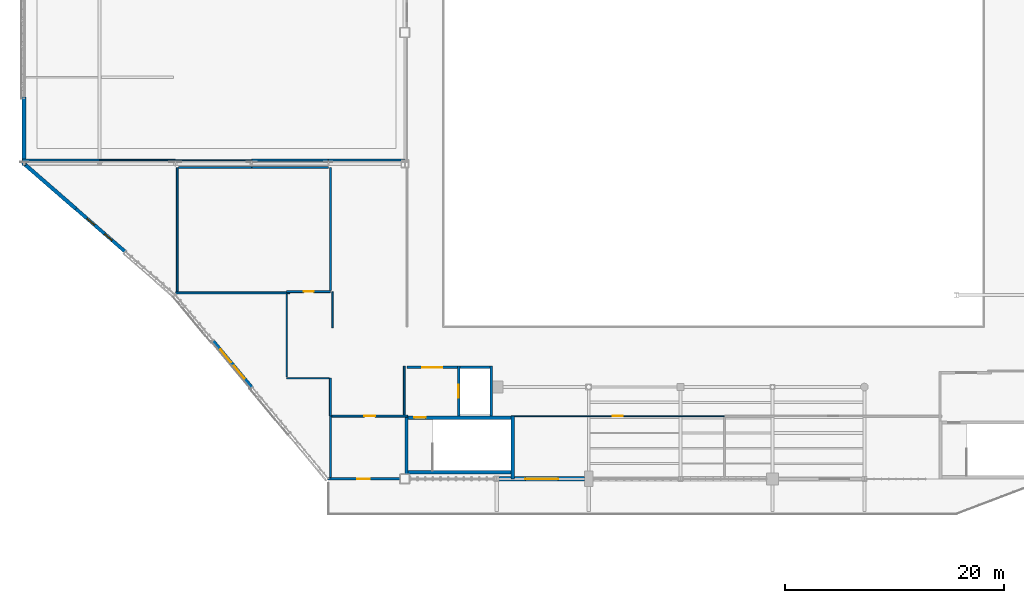
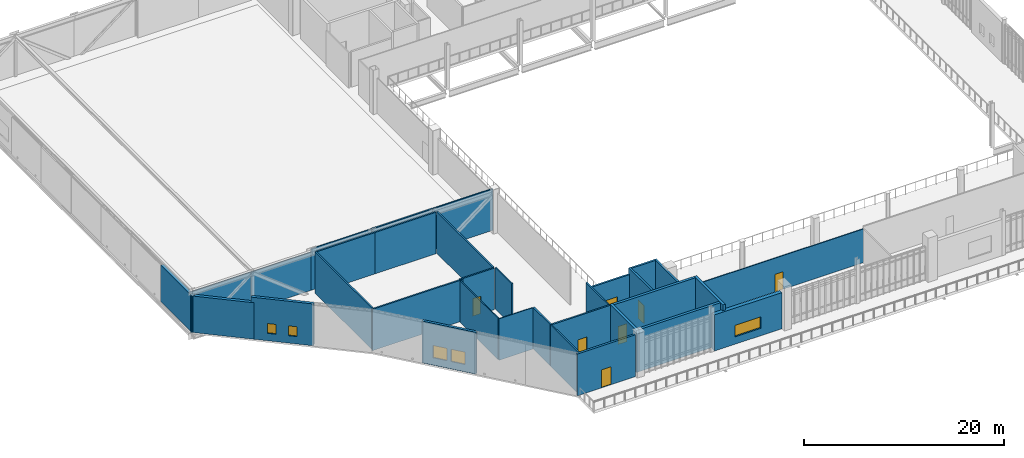
# One storey, part 112 of 135: 33 walls, 7 doors, 5 windows, 12 openings.
"""IFC4 building model written with IfcOpenShell, lengths in metres."""

from ifc_helpers import new_model, si_unit, direction, frame, frame_2d, origin, place, context, subcontext, project, spatial, rectangle, extrude, material, layer, layer_set, type_object, element, fill, save


model = new_model("IFC4")

# Units and contexts
model_context = context("Model", 3, precision=1e-05, world=origin(), true_north=direction((0.0, 1.0)))
body_context = subcontext(model_context, "Body", "Model", "MODEL_VIEW")
ifc_project = project(units=[si_unit("LENGTHUNIT", "METRE"), si_unit("AREAUNIT", "SQUARE_METRE"), si_unit("VOLUMEUNIT", "CUBIC_METRE"), si_unit("PLANEANGLEUNIT", "RADIAN"), si_unit("MASSUNIT", "GRAM", prefix="KILO")], contexts=[model_context])

# Site, building, storey
site_placement = place(None, origin())
site = spatial("IfcSite", under=ifc_project, at=site_placement, CompositionType="ELEMENT")
building_placement = place(site_placement, origin())
building = spatial("IfcBuilding", under=site, at=building_placement, Name="Larkvane Passage Sports Hall", CompositionType="ELEMENT")
storey_placement = place(building_placement, frame((0.0, 0.0, 16.800048828125)))
storey = spatial("IfcBuildingStorey", under=building, at=storey_placement, Name="L03", CompositionType="ELEMENT", Elevation=16.800048828125)

# Walls
ifc_material_1 = material(Name="Concrete C50/60", Category="concrete")
ifc_layer_1 = layer(ifc_material_1, 0.300048828125)
ifc_layer_set_1 = layer_set([ifc_layer_1], Name="Concrete C50/60")
wall_type_1 = type_object("IfcWallType", Name="WL-CORE-300", PredefinedType="SHEAR", material=ifc_layer_set_1)
wall_1_placement = place(storey_placement, frame((44.64990234375, 28.550048828125, 0.0), z_axis=(0.0, 0.0, 1.0), x_axis=(0.0, -1.0, 0.0)))
element("IfcWall", 1, at=wall_1_placement, inside=storey, type_object=wall_type_1, Name="Core shear wall WAL-CORE-C1-L03-E", PredefinedType="SHEAR", context=body_context, shape_type="SweptSolid", body=[
    extrude(rectangle(XDim=5.75, YDim=0.300048828125, at=frame_2d((2.875, 0.0))), origin(), (0.0, 0.0, 1.0), 5.119873046875),
])
wall_2_placement = place(storey_placement, frame((44.5, 23.39990234375, 0.0), z_axis=(0.0, 0.0, 1.0), x_axis=(-1.0, 0.0, 0.0)))
element("IfcWall", 2, at=wall_2_placement, inside=storey, type_object=wall_type_1, Name="Core shear wall WAL-CORE-C1-L03-S", PredefinedType="SHEAR", context=body_context, shape_type="SweptSolid", body=[
    extrude(rectangle(XDim=9.39990234375, YDim=0.300048828125, at=frame_2d((4.699951171875, 0.0))), origin(), (0.0, 0.0, 1.0), 5.119873046875),
])

# Wall, opening, door
wall_3_placement = place(storey_placement, frame((35.10009765625, 28.39990234375, 0.0), z_axis=(0.0, 0.0, 1.0), x_axis=(1.0, 0.0, 0.0)))
wall_3 = element("IfcWall", 3, at=wall_3_placement, inside=storey, type_object=wall_type_1, Name="Core shear wall WAL-CORE-C1-L03-N", PredefinedType="SHEAR", context=body_context, shape_type="SweptSolid", body=[
    extrude(rectangle(XDim=9.39990234375, YDim=0.300048828125, at=frame_2d((4.699951171875, 0.0))), origin(), (0.0, 0.0, 1.0), 5.119873046875),
])
opening_1_placement = place(wall_3_placement, frame((0.550048828125, 0.0, 0.0)))
opening_1 = element("IfcOpeningElement", 4, at=opening_1_placement, cuts=wall_3, Name="Opening DF-01", PredefinedType="OPENING", context=body_context, shape_type="SweptSolid", body=[
    extrude(rectangle(XDim=1.050048828125, YDim=2.199951171875, at=frame_2d((0.52490234375, 1.10009765625))), frame((0.0, 0.159912109375, 0.0), z_axis=(0.0, -1.0, 0.0), x_axis=(1.0, 0.0, 0.0)), (0.0, 0.0, 1.0), 0.320068359375),
])
ifc_material_2 = material(Name="Steel S355JR smoke-sealed fire door", Category="steel")
door_type_1 = type_object("IfcDoorType", Name="DR-FIRE-1050", OperationType="NOTDEFINED", PredefinedType="DOOR", material=ifc_material_2)
door_1_placement = place(opening_1_placement, origin())
door_1 = element("IfcDoor", 5, at=door_1_placement, inside=storey, type_object=door_type_1, Name="Stair ST-01 L03 fire door", OperationType="SINGLE_SWING_RIGHT", OverallHeight=2.199951171875, OverallWidth=1.050048828125, PredefinedType="DOOR", context=body_context, shape_type="SweptSolid", body=[
    extrude(rectangle(XDim=1.050048828125, YDim=2.199951171875, at=frame_2d((0.52490234375, 1.10009765625))), frame((0.0, 0.02490234375, 0.0), z_axis=(0.0, -1.0, 0.0), x_axis=(1.0, 0.0, 0.0)), (0.0, 0.0, 1.0), 0.050048828125),
])
fill(opening_1, door_1)

# Wall
ifc_layer_2 = layer(ifc_material_1, 0.300048828125)
ifc_layer_set_2 = layer_set([ifc_layer_2], Name="Concrete C50/60")
wall_type_2 = type_object("IfcWallType", Name="WL-CORE-EXT-300", PredefinedType="SHEAR", material=ifc_layer_set_2)
wall_4_placement = place(storey_placement, frame((34.949951171875, 23.25, 0.0), z_axis=(0.0, 0.0, 1.0), x_axis=(0.0, 1.0, 0.0)))
element("IfcWall", 6, at=wall_4_placement, inside=storey, type_object=wall_type_2, Name="Core shear wall WAL-CORE-C1-L03-W", PredefinedType="SHEAR", context=body_context, shape_type="SweptSolid", body=[
    extrude(rectangle(XDim=5.300048828125, YDim=0.300048828125, at=frame_2d((2.64990234375, 0.0))), origin(), (0.0, 0.0, 1.0), 5.119873046875),
])

# Wall, opening, door
ifc_material_3 = material(Name="Concrete C40/50", Category="concrete")
ifc_layer_3 = layer(ifc_material_3, 0.239990234375)
ifc_layer_set_3 = layer_set([ifc_layer_3], Name="Concrete C40/50")
wall_type_3 = type_object("IfcWallType", Name="WL-EXT-240", PredefinedType="SOLIDWALL", material=ifc_layer_set_3)
wall_5_placement = place(storey_placement, frame((34.35400390625, 22.800048828125, 0.0), z_axis=(0.0, 0.0, 1.0), x_axis=(-1.0, 0.0, 0.0)))
wall_5 = element("IfcWall", 7, at=wall_5_placement, inside=storey, type_object=wall_type_3, Name="Exterior wall WAL-EXT-L03-183", PredefinedType="SOLIDWALL", context=body_context, shape_type="SweptSolid", body=[
    extrude(rectangle(XDim=6.669189453125, YDim=0.239990234375, at=frame_2d((3.33447265625, 0.0))), origin(), (0.0, 0.0, 1.0), 5.099853515625),
])
opening_2_placement = place(wall_5_placement, frame((2.784912109375, 0.0, 0.0)))
opening_2 = element("IfcOpeningElement", 8, at=opening_2_placement, cuts=wall_5, Name="Opening DE-05", PredefinedType="OPENING", context=body_context, shape_type="SweptSolid", body=[
    extrude(rectangle(XDim=1.10009765625, YDim=2.199951171875, at=frame_2d((0.550048828125, 1.10009765625))), frame((0.0, 0.1298828125, 0.0), z_axis=(0.0, -1.0, 0.0), x_axis=(1.0, 0.0, 0.0)), (0.0, 0.0, 1.0), 0.260009765625),
])
ifc_material_4 = material(Name="Thermally broken aluminium glazed door", Category="aluminium")
door_type_2 = type_object("IfcDoorType", Name="DR-TER-1100", OperationType="NOTDEFINED", PredefinedType="DOOR", material=ifc_material_4)
door_2_placement = place(opening_2_placement, origin())
door_2 = element("IfcDoor", 9, at=door_2_placement, inside=storey, type_object=door_type_2, Name="Exterior door L03-039", OperationType="SINGLE_SWING_RIGHT", OverallHeight=2.199951171875, OverallWidth=1.10009765625, PredefinedType="DOOR", context=body_context, shape_type="SweptSolid", body=[
    extrude(rectangle(XDim=1.10009765625, YDim=2.199951171875, at=frame_2d((0.550048828125, 1.10009765625))), frame((0.0, 0.02490234375, 0.0), z_axis=(0.0, -1.0, 0.0), x_axis=(1.0, 0.0, 0.0)), (0.0, 0.0, 1.0), 0.050048828125),
])
fill(opening_2, door_2)

# Wall, openings, windows
ifc_layer_4 = layer(ifc_material_3, 0.27490234375)
ifc_layer_set_4 = layer_set([ifc_layer_4], Name="Concrete C40/50")
wall_type_4 = type_object("IfcWallType", Name="WL-EXT-275", PredefinedType="SOLIDWALL", material=ifc_layer_set_4)
wall_6_placement = place(storey_placement, frame((20.884521484375, 31.0986328125, 0.0), z_axis=(0.0, 0.0, 1.0), x_axis=(-0.640176019518, 0.768228262975, 0.0)))
wall_6 = element("IfcWall", 10, at=wall_6_placement, inside=storey, type_object=wall_type_4, Name="Exterior wall WAL-EXT-L03-184", PredefinedType="SOLIDWALL", context=body_context, shape_type="SweptSolid", body=[
    extrude(rectangle(XDim=5.731201171875, YDim=0.27490234375, at=frame_2d((2.86572265625, 0.0))), origin(), (0.0, 0.0, 1.0), 5.099853515625),
])
opening_3_placement = place(wall_6_placement, frame((1.159912109375, 0.0, 0.89990234375)))
opening_3 = element("IfcOpeningElement", 11, at=opening_3_placement, cuts=wall_6, Name="Opening W-08", PredefinedType="OPENING", context=body_context, shape_type="SweptSolid", body=[
    extrude(rectangle(XDim=1.5, YDim=1.5, at=frame_2d((0.75, 0.75))), frame((0.0, 0.1474609375, 0.0), z_axis=(0.0, -1.0, 0.0), x_axis=(1.0, 0.0, 0.0)), (0.0, 0.0, 1.0), 0.294921875),
])
opening_4_placement = place(wall_6_placement, frame((3.071044921875, 0.0, 0.89990234375)))
opening_4 = element("IfcOpeningElement", 12, at=opening_4_placement, cuts=wall_6, Name="Opening W-08", PredefinedType="OPENING", context=body_context, shape_type="SweptSolid", body=[
    extrude(rectangle(XDim=1.5, YDim=1.5, at=frame_2d((0.75, 0.75))), frame((0.0, 0.1474609375, 0.0), z_axis=(0.0, -1.0, 0.0), x_axis=(1.0, 0.0, 0.0)), (0.0, 0.0, 1.0), 0.294921875),
])
ifc_material_5 = material(Name="Thermally broken aluminium and laminated low-E glass", Category="aluminium")
window_type_1 = type_object("IfcWindowType", Name="WN-CAS-1500x1500", PartitioningType="DOUBLE_PANEL_VERTICAL", PredefinedType="WINDOW", material=ifc_material_5)
window_1_placement = place(opening_3_placement, origin())
window_1 = element("IfcWindow", 13, at=window_1_placement, inside=storey, type_object=window_type_1, Name="Window L03-079", OverallHeight=1.5, OverallWidth=1.5, PartitioningType="DOUBLE_PANEL_VERTICAL", PredefinedType="WINDOW", context=body_context, shape_type="SweptSolid", body=[
    extrude(rectangle(XDim=1.5, YDim=1.5, at=frame_2d((0.75, 0.75))), frame((0.0, 0.030029296875, 0.0), z_axis=(0.0, -1.0, 0.0), x_axis=(1.0, 0.0, 0.0)), (0.0, 0.0, 1.0), 0.06005859375),
])
fill(opening_3, window_1)
window_2_placement = place(opening_4_placement, origin())
window_2 = element("IfcWindow", 14, at=window_2_placement, inside=storey, type_object=window_type_1, Name="Window L03-080", OverallHeight=1.5, OverallWidth=1.5, PartitioningType="DOUBLE_PANEL_VERTICAL", PredefinedType="WINDOW", context=body_context, shape_type="SweptSolid", body=[
    extrude(rectangle(XDim=1.5, YDim=1.5, at=frame_2d((0.75, 0.75))), frame((0.0, 0.030029296875, 0.0), z_axis=(0.0, -1.0, 0.0), x_axis=(1.0, 0.0, 0.0)), (0.0, 0.0, 1.0), 0.06005859375),
])
fill(opening_4, window_2)

ifc_material_6 = material(Name="Precast concrete C45/55", Category="concrete")
ifc_layer_5 = layer(ifc_material_6, 0.31005859375)
ifc_layer_set_5 = layer_set([ifc_layer_5], Name="Precast concrete C45/55")
wall_type_5 = type_object("IfcWallType", Name="WL-EXT-310", PredefinedType="SOLIDWALL", material=ifc_layer_set_5)
wall_7_placement = place(storey_placement, frame((9.312255859375, 43.50244140625, 0.0), z_axis=(0.0, 0.0, 1.0), x_axis=(-0.754614565315, 0.656168315156, 0.0)))
wall_7 = element("IfcWall", 15, at=wall_7_placement, inside=storey, type_object=wall_type_5, Name="Exterior wall WAL-EXT-L03-185", PredefinedType="SOLIDWALL", context=body_context, shape_type="SweptSolid", body=[
    extrude(rectangle(XDim=6.393310546875, YDim=0.31005859375, at=frame_2d((3.19677734375, 0.0))), origin(), (0.0, 0.0, 1.0), 5.099853515625),
])
opening_5_placement = place(wall_7_placement, frame((1.680908203125, 0.0, 0.89990234375)))
opening_5 = element("IfcOpeningElement", 16, at=opening_5_placement, cuts=wall_7, Name="Opening W-09", PredefinedType="OPENING", context=body_context, shape_type="SweptSolid", body=[
    extrude(rectangle(XDim=0.89990234375, YDim=1.199951171875, at=frame_2d((0.449951171875, 0.60009765625))), frame((0.0, 0.1650390625, 0.0), z_axis=(0.0, -1.0, 0.0), x_axis=(1.0, 0.0, 0.0)), (0.0, 0.0, 1.0), 0.330078125),
])
opening_6_placement = place(wall_7_placement, frame((3.81201171875, 0.0, 0.89990234375)))
opening_6 = element("IfcOpeningElement", 17, at=opening_6_placement, cuts=wall_7, Name="Opening W-09", PredefinedType="OPENING", context=body_context, shape_type="SweptSolid", body=[
    extrude(rectangle(XDim=0.89990234375, YDim=1.199951171875, at=frame_2d((0.449951171875, 0.60009765625))), frame((0.0, 0.1650390625, 0.0), z_axis=(0.0, -1.0, 0.0), x_axis=(1.0, 0.0, 0.0)), (0.0, 0.0, 1.0), 0.330078125),
])
window_type_2 = type_object("IfcWindowType", Name="WN-CAS-900x1200", PartitioningType="SINGLE_PANEL", PredefinedType="WINDOW", material=ifc_material_5)
window_3_placement = place(opening_5_placement, origin())
window_3 = element("IfcWindow", 18, at=window_3_placement, inside=storey, type_object=window_type_2, Name="Window L03-081", OverallHeight=1.199951171875, OverallWidth=0.89990234375, PartitioningType="SINGLE_PANEL", PredefinedType="WINDOW", context=body_context, shape_type="SweptSolid", body=[
    extrude(rectangle(XDim=0.89990234375, YDim=1.199951171875, at=frame_2d((0.449951171875, 0.60009765625))), frame((0.0, 0.030029296875, 0.0), z_axis=(0.0, -1.0, 0.0), x_axis=(1.0, 0.0, 0.0)), (0.0, 0.0, 1.0), 0.06005859375),
])
fill(opening_5, window_3)
window_4_placement = place(opening_6_placement, origin())
window_4 = element("IfcWindow", 19, at=window_4_placement, inside=storey, type_object=window_type_2, Name="Window L03-082", OverallHeight=1.199951171875, OverallWidth=0.89990234375, PartitioningType="SINGLE_PANEL", PredefinedType="WINDOW", context=body_context, shape_type="SweptSolid", body=[
    extrude(rectangle(XDim=0.89990234375, YDim=1.199951171875, at=frame_2d((0.449951171875, 0.60009765625))), frame((0.0, 0.030029296875, 0.0), z_axis=(0.0, -1.0, 0.0), x_axis=(1.0, 0.0, 0.0)), (0.0, 0.0, 1.0), 0.06005859375),
])
fill(opening_6, window_4)

# Walls
ifc_layer_6 = layer(ifc_material_6, 0.344970703125)
ifc_layer_set_6 = layer_set([ifc_layer_6], Name="Precast concrete C45/55")
wall_type_6 = type_object("IfcWallType", Name="WL-EXT-345", PredefinedType="SOLIDWALL", material=ifc_layer_set_6)
wall_8_placement = place(storey_placement, frame((4.72509765625, 47.4912109375, 0.0), z_axis=(0.0, 0.0, 1.0), x_axis=(-0.75460143339, 0.656183416985, 0.0)))
element("IfcWall", 20, at=wall_8_placement, inside=storey, type_object=wall_type_6, Name="Exterior wall WAL-EXT-L03-186", PredefinedType="SOLIDWALL", context=body_context, shape_type="SweptSolid", body=[
    extrude(rectangle(XDim=6.42724609375, YDim=0.344970703125, at=frame_2d((3.213623046875, 0.0))), origin(), (0.0, 0.0, 1.0), 4.449951171875),
])
wall_9_placement = place(storey_placement, frame((0.0, 51.434326171875, 0.0), z_axis=(0.0, 0.0, 1.0), x_axis=(0.0, 1.0, 0.0)))
element("IfcWall", 21, at=wall_9_placement, inside=storey, type_object=wall_type_6, Name="Exterior wall WAL-EXT-L03-187", PredefinedType="SOLIDWALL", context=body_context, shape_type="SweptSolid", body=[
    extrude(rectangle(XDim=6.28125, YDim=0.344970703125, at=frame_2d((3.140625, 0.0))), origin(), (0.0, 0.0, 1.0), 4.449951171875),
])

# Wall, opening, window
ifc_layer_7 = layer(ifc_material_3, 0.425048828125)
ifc_layer_set_7 = layer_set([ifc_layer_7], Name="Concrete C40/50")
wall_type_7 = type_object("IfcWallType", Name="WL-EXT-425", PredefinedType="SOLIDWALL", material=ifc_layer_set_7)
wall_10_placement = place(storey_placement, frame((51.2041015625, 22.800048828125, 0.0), z_axis=(0.0, 0.0, 1.0), x_axis=(-1.0, 0.0, 0.0)))
wall_10 = element("IfcWall", 22, at=wall_10_placement, inside=storey, type_object=wall_type_7, Name="Exterior wall WAL-EXT-L03-182", PredefinedType="SOLIDWALL", context=body_context, shape_type="SweptSolid", body=[
    extrude(rectangle(XDim=7.799560546875, YDim=0.425048828125, at=frame_2d((3.89990234375, 0.0))), origin(), (0.0, 0.0, 1.0), 4.407958984375),
])
opening_7_placement = place(wall_10_placement, frame((2.39990234375, 0.0, 0.89990234375)))
opening_7 = element("IfcOpeningElement", 23, at=opening_7_placement, cuts=wall_10, Name="Opening W-06", PredefinedType="OPENING", context=body_context, shape_type="SweptSolid", body=[
    extrude(rectangle(XDim=3.0, YDim=1.39990234375, at=frame_2d((1.5, 0.699951171875))), frame((0.0, 0.222412109375, 0.0), z_axis=(0.0, -1.0, 0.0), x_axis=(1.0, 0.0, 0.0)), (0.0, 0.0, 1.0), 0.445068359375),
])
window_type_3 = type_object("IfcWindowType", Name="WN-FIX-3000x1400", PartitioningType="TRIPLE_PANEL_VERTICAL", PredefinedType="WINDOW", material=ifc_material_5)
window_5_placement = place(opening_7_placement, origin())
window_5 = element("IfcWindow", 24, at=window_5_placement, inside=storey, type_object=window_type_3, Name="Window L03-078", OverallHeight=1.39990234375, OverallWidth=3.0, PartitioningType="TRIPLE_PANEL_VERTICAL", PredefinedType="WINDOW", context=body_context, shape_type="SweptSolid", body=[
    extrude(rectangle(XDim=3.0, YDim=1.39990234375, at=frame_2d((1.5, 0.699951171875))), frame((0.0, 0.030029296875, 0.0), z_axis=(0.0, -1.0, 0.0), x_axis=(1.0, 0.0, 0.0)), (0.0, 0.0, 1.0), 0.06005859375),
])
fill(opening_7, window_5)

# Wall, opening, door
ifc_layer_8 = layer(ifc_material_3, 0.199951171875)
ifc_layer_set_8 = layer_set([ifc_layer_8], Name="Concrete C40/50")
wall_type_8 = type_object("IfcWallType", Name="WL-LOBBY-200", PredefinedType="SOLIDWALL", material=ifc_layer_set_8)
wall_11_placement = place(storey_placement, frame((35.0, 33.0, 0.0), z_axis=(0.0, 0.0, 1.0), x_axis=(1.0, 0.0, 0.0)))
wall_11 = element("IfcWall", 25, at=wall_11_placement, inside=storey, type_object=wall_type_8, Name="Protected stair lobby wall C1 L03", PredefinedType="SOLIDWALL", context=body_context, shape_type="SweptSolid", body=[
    extrude(rectangle(XDim=4.60009765625, YDim=0.199951171875, at=frame_2d((2.300048828125, 0.0))), origin(), (0.0, 0.0, 1.0), 4.409912109375),
])
opening_8_placement = place(wall_11_placement, frame((1.39990234375, 0.0, 0.0)))
opening_8 = element("IfcOpeningElement", 26, at=opening_8_placement, cuts=wall_11, Name="Opening DF-02", PredefinedType="OPENING", context=body_context, shape_type="SweptSolid", body=[
    extrude(rectangle(XDim=1.800048828125, YDim=2.199951171875, at=frame_2d((0.89990234375, 1.10009765625))), frame((0.0, 0.10986328125, 0.0), z_axis=(0.0, -1.0, 0.0), x_axis=(1.0, 0.0, 0.0)), (0.0, 0.0, 1.0), 0.219970703125),
])
ifc_material_7 = material(Name="Steel S355JR double smoke-sealed fire door", Category="steel")
door_type_3 = type_object("IfcDoorType", Name="DR-FIRE-1800", OperationType="DOUBLE_DOOR_SINGLE_SWING", PredefinedType="DOOR", material=ifc_material_7)
door_3_placement = place(opening_8_placement, origin())
door_3 = element("IfcDoor", 27, at=door_3_placement, inside=storey, type_object=door_type_3, Name="Lobby smoke door C1 L03", OperationType="DOUBLE_DOOR_SINGLE_SWING", OverallHeight=2.199951171875, OverallWidth=1.800048828125, PredefinedType="DOOR", context=body_context, shape_type="SweptSolid", body=[
    extrude(rectangle(XDim=1.800048828125, YDim=2.199951171875, at=frame_2d((0.89990234375, 1.10009765625))), frame((0.0, 0.02490234375, 0.0), z_axis=(0.0, -1.0, 0.0), x_axis=(1.0, 0.0, 0.0)), (0.0, 0.0, 1.0), 0.050048828125),
])
fill(opening_8, door_3)

# Wall
ifc_material_8 = material(Name="Gypsum twin-stud acoustic partition")
ifc_layer_9 = layer(ifc_material_8, 0.10009765625)
ifc_layer_set_9 = layer_set([ifc_layer_9], Name="Gypsum twin-stud acoustic partition")
wall_type_9 = type_object("IfcWallType", Name="WL-PART-100", PredefinedType="PARTITIONING", material=ifc_layer_set_9)
wall_12_placement = place(storey_placement, frame((20.800048828125, 51.93994140625, 0.0), z_axis=(0.0, 0.0, 1.0), x_axis=(-1.0, 0.0, 0.0)))
element("IfcWall", 28, at=wall_12_placement, inside=storey, type_object=wall_type_9, Name="Interior partition WAL-PART-L03-0289", PredefinedType="PARTITIONING", context=body_context, shape_type="SweptSolid", body=[
    extrude(rectangle(XDim=7.0, YDim=0.10009765625, at=frame_2d((3.5, 0.0))), origin(), (0.0, 0.0, 1.0), 5.050048828125),
])

# Wall, opening, door
wall_13_placement = place(storey_placement, frame((44.5400390625, 28.530029296875, 0.0), z_axis=(0.0, 0.0, 1.0), x_axis=(1.0, 0.0, 0.0)))
wall_13 = element("IfcWall", 29, at=wall_13_placement, inside=storey, type_object=wall_type_9, Name="Interior partition WAL-PART-L03-0309", PredefinedType="PARTITIONING", context=body_context, shape_type="SweptSolid", body=[
    extrude(rectangle(XDim=19.4599609375, YDim=0.10009765625, at=frame_2d((9.72998046875, 0.0))), origin(), (0.0, 0.0, 1.0), 4.10986328125),
])
opening_9_placement = place(wall_13_placement, frame((9.27001953125, 0.0, 0.0)))
opening_9 = element("IfcOpeningElement", 30, at=opening_9_placement, cuts=wall_13, Name="Opening DI-02", PredefinedType="OPENING", context=body_context, shape_type="SweptSolid", body=[
    extrude(rectangle(XDim=0.919921875, YDim=2.14990234375, at=frame_2d((0.4599609375, 1.074951171875))), frame((0.0, 0.06005859375, 0.0), z_axis=(0.0, -1.0, 0.0), x_axis=(1.0, 0.0, 0.0)), (0.0, 0.0, 1.0), 0.1201171875),
])
ifc_material_9 = material(Name="Moisture-resistant laminate room door")
door_type_4 = type_object("IfcDoorType", Name="DR-INT-900", OperationType="NOTDEFINED", PredefinedType="DOOR", material=ifc_material_9)
door_4_placement = place(opening_9_placement, origin())
door_4 = element("IfcDoor", 31, at=door_4_placement, inside=storey, type_object=door_type_4, Name="Interior door L03-0092", OperationType="SINGLE_SWING_RIGHT", OverallHeight=2.14990234375, OverallWidth=0.919921875, PredefinedType="DOOR", context=body_context, shape_type="SweptSolid", body=[
    extrude(rectangle(XDim=0.919921875, YDim=2.14990234375, at=frame_2d((0.4599609375, 1.074951171875))), frame((0.0, 0.02490234375, 0.0), z_axis=(0.0, -1.0, 0.0), x_axis=(1.0, 0.0, 0.0)), (0.0, 0.0, 1.0), 0.050048828125),
])
fill(opening_9, door_4)

# Walls
wall_14_placement = place(storey_placement, frame((27.8798828125, 32.0, 0.0), z_axis=(0.0, 0.0, 1.0), x_axis=(-1.0, 0.0, 0.0)))
element("IfcWall", 32, at=wall_14_placement, inside=storey, type_object=wall_type_9, Name="Interior partition WAL-PART-L03-0357", PredefinedType="PARTITIONING", context=body_context, shape_type="SweptSolid", body=[
    extrude(rectangle(XDim=3.8798828125, YDim=0.10009765625, at=frame_2d((1.93994140625, 0.0))), origin(), (0.0, 0.0, 1.0), 5.050048828125),
])
ifc_material_10 = material(Name="Gypsum twin-stud fire-rated partition")
ifc_layer_10 = layer(ifc_material_10, 0.125)
ifc_layer_set_10 = layer_set([ifc_layer_10], Name="Gypsum twin-stud fire-rated partition")
wall_type_10 = type_object("IfcWallType", Name="WL-PART-125", PredefinedType="PARTITIONING", material=ifc_layer_set_10)
wall_15_placement = place(storey_placement, frame((13.800048828125, 51.93994140625, 0.0), z_axis=(0.0, 0.0, 1.0), x_axis=(-1.0, 0.0, 0.0)))
element("IfcWall", 33, at=wall_15_placement, inside=storey, type_object=wall_type_10, Name="Interior partition WAL-PART-L03-0290", PredefinedType="PARTITIONING", context=body_context, shape_type="SweptSolid", body=[
    extrude(rectangle(XDim=6.900146484375, YDim=0.125, at=frame_2d((3.4501953125, 0.0))), origin(), (0.0, 0.0, 1.0), 4.64990234375),
])
wall_16_placement = place(storey_placement, frame((24.0, 32.1201171875, 0.0), z_axis=(0.0, 0.0, 1.0), x_axis=(0.0, 1.0, 0.0)))
element("IfcWall", 34, at=wall_16_placement, inside=storey, type_object=wall_type_10, Name="Interior partition WAL-PART-L03-0358", PredefinedType="PARTITIONING", context=body_context, shape_type="SweptSolid", body=[
    extrude(rectangle(XDim=7.559814453125, YDim=0.125, at=frame_2d((3.77978515625, 0.0))), origin(), (0.0, 0.0, 1.0), 5.050048828125),
])
ifc_material_11 = material(Name="Gypsum acoustic partition")
ifc_layer_11 = layer(ifc_material_11, 0.14990234375)
ifc_layer_set_11 = layer_set([ifc_layer_11], Name="Gypsum acoustic partition")
wall_type_11 = type_object("IfcWallType", Name="WL-PART-150", PredefinedType="PARTITIONING", material=ifc_layer_set_11)
wall_17_placement = place(storey_placement, frame((34.800048828125, 51.93994140625, 0.0), z_axis=(0.0, 0.0, 1.0), x_axis=(-1.0, 0.0, 0.0)))
element("IfcWall", 35, at=wall_17_placement, inside=storey, type_object=wall_type_11, Name="Interior partition WAL-PART-L03-0287", PredefinedType="PARTITIONING", context=body_context, shape_type="SweptSolid", body=[
    extrude(rectangle(XDim=7.0, YDim=0.14990234375, at=frame_2d((3.5, 0.0))), origin(), (0.0, 0.0, 1.0), 5.050048828125),
])
wall_18_placement = place(storey_placement, frame((6.89990234375, 51.93994140625, 0.0), z_axis=(0.0, 0.0, 1.0), x_axis=(-1.0, 0.0, 0.0)))
element("IfcWall", 36, at=wall_18_placement, inside=storey, type_object=wall_type_11, Name="Interior partition WAL-PART-L03-0291", PredefinedType="PARTITIONING", context=body_context, shape_type="SweptSolid", body=[
    extrude(rectangle(XDim=7.051513671875, YDim=0.14990234375, at=frame_2d((3.52587890625, 0.0))), origin(), (0.0, 0.0, 1.0), 4.64990234375),
])
wall_19_placement = place(storey_placement, frame((28.0, 22.916015625, 0.0), z_axis=(0.0, 0.0, 1.0), x_axis=(0.0, 1.0, 0.0)))
element("IfcWall", 37, at=wall_19_placement, inside=storey, type_object=wall_type_11, Name="Interior partition WAL-PART-L03-0307", PredefinedType="PARTITIONING", context=body_context, shape_type="SweptSolid", body=[
    extrude(rectangle(XDim=5.614013671875, YDim=0.14990234375, at=frame_2d((2.80712890625, 0.0))), origin(), (0.0, 0.0, 1.0), 5.050048828125),
])
wall_20_placement = place(storey_placement, frame((34.739990234375, 33.10009765625, 0.0), z_axis=(0.0, 0.0, 1.0), x_axis=(0.0, -1.0, 0.0)))
element("IfcWall", 38, at=wall_20_placement, inside=storey, type_object=wall_type_11, Name="Interior partition WAL-PART-L03-0355", PredefinedType="PARTITIONING", context=body_context, shape_type="SweptSolid", body=[
    extrude(rectangle(XDim=4.4501953125, YDim=0.14990234375, at=frame_2d((2.22509765625, 0.0))), origin(), (0.0, 0.0, 1.0), 5.050048828125),
])
wall_21_placement = place(storey_placement, frame((28.199951171875, 39.89990234375, 0.0), z_axis=(0.0, 0.0, 1.0), x_axis=(0.0, -1.0, 0.0)))
element("IfcWall", 39, at=wall_21_placement, inside=storey, type_object=wall_type_11, Name="Interior partition WAL-PART-L03-0359", PredefinedType="PARTITIONING", context=body_context, shape_type="SweptSolid", body=[
    extrude(rectangle(XDim=3.2998046875, YDim=0.14990234375, at=frame_2d((1.64990234375, 0.0))), origin(), (0.0, 0.0, 1.0), 5.050048828125),
])
ifc_material_12 = material(Name="Gypsum high-bay court partition")
ifc_layer_12 = layer(ifc_material_12, 0.179931640625)
ifc_layer_set_12 = layer_set([ifc_layer_12], Name="Gypsum high-bay court partition")
wall_type_12 = type_object("IfcWallType", Name="WL-PART-180", PredefinedType="PARTITIONING", material=ifc_layer_set_12)
wall_22_placement = place(storey_placement, frame((27.800048828125, 51.93994140625, 0.0), z_axis=(0.0, 0.0, 1.0), x_axis=(-1.0, 0.0, 0.0)))
element("IfcWall", 40, at=wall_22_placement, inside=storey, type_object=wall_type_12, Name="Interior partition WAL-PART-L03-0288", PredefinedType="PARTITIONING", context=body_context, shape_type="SweptSolid", body=[
    extrude(rectangle(XDim=7.0, YDim=0.179931640625, at=frame_2d((3.5, 0.0))), origin(), (0.0, 0.0, 1.0), 5.050048828125),
])

# Wall, opening, door
wall_23_placement = place(storey_placement, frame((28.1201171875, 28.530029296875, 0.0), z_axis=(0.0, 0.0, 1.0), x_axis=(1.0, 0.0, 0.0)))
wall_23 = element("IfcWall", 41, at=wall_23_placement, inside=storey, type_object=wall_type_12, Name="Interior partition WAL-PART-L03-0308", PredefinedType="PARTITIONING", context=body_context, shape_type="SweptSolid", body=[
    extrude(rectangle(XDim=6.93994140625, YDim=0.179931640625, at=frame_2d((3.469970703125, 0.0))), origin(), (0.0, 0.0, 1.0), 5.050048828125),
])
opening_10_placement = place(wall_23_placement, frame((2.969970703125, 0.0, 0.0)))
opening_10 = element("IfcOpeningElement", 42, at=opening_10_placement, cuts=wall_23, Name="Opening DI-01", PredefinedType="OPENING", context=body_context, shape_type="SweptSolid", body=[
    extrude(rectangle(XDim=1.0, YDim=2.14990234375, at=frame_2d((0.5, 1.074951171875))), frame((0.0, 0.099853515625, 0.0), z_axis=(0.0, -1.0, 0.0), x_axis=(1.0, 0.0, 0.0)), (0.0, 0.0, 1.0), 0.199951171875),
])
ifc_material_13 = material(Name="Solid-core hardwood acoustic door", Category="wood")
door_type_5 = type_object("IfcDoorType", Name="DR-INT-1000", OperationType="NOTDEFINED", PredefinedType="DOOR", material=ifc_material_13)
door_5_placement = place(opening_10_placement, origin())
door_5 = element("IfcDoor", 43, at=door_5_placement, inside=storey, type_object=door_type_5, Name="Interior door L03-0097", OperationType="SINGLE_SWING_RIGHT", OverallHeight=2.14990234375, OverallWidth=1.0, PredefinedType="DOOR", context=body_context, shape_type="SweptSolid", body=[
    extrude(rectangle(XDim=1.0, YDim=2.14990234375, at=frame_2d((0.5, 1.074951171875))), frame((0.0, 0.02490234375, 0.0), z_axis=(0.0, -1.0, 0.0), x_axis=(1.0, 0.0, 0.0)), (0.0, 0.0, 1.0), 0.050048828125),
])
fill(opening_10, door_5)

# Wall
wall_24_placement = place(storey_placement, frame((28.0, 28.550048828125, 0.0), z_axis=(0.0, 0.0, 1.0), x_axis=(0.0, 1.0, 0.0)))
element("IfcWall", 44, at=wall_24_placement, inside=storey, type_object=wall_type_12, Name="Interior partition WAL-PART-L03-0356", PredefinedType="PARTITIONING", context=body_context, shape_type="SweptSolid", body=[
    extrude(rectangle(XDim=3.449951171875, YDim=0.179931640625, at=frame_2d((1.72509765625, 0.0))), origin(), (0.0, 0.0, 1.0), 5.050048828125),
])

# Wall, opening, door
ifc_material_14 = material(Name="Moisture-resistant shaftliner partition")
ifc_layer_13 = layer(ifc_material_14, 0.175048828125)
ifc_layer_set_13 = layer_set([ifc_layer_13], Name="Moisture-resistant shaftliner partition")
wall_type_13 = type_object("IfcWallType", Name="WL-PLUMB-175", PredefinedType="PLUMBINGWALL", material=ifc_layer_set_13)
wall_25_placement = place(storey_placement, frame((28.0, 39.919921875, 0.0), z_axis=(0.0, 0.0, 1.0), x_axis=(-1.0, 0.0, 0.0)))
wall_25 = element("IfcWall", 45, at=wall_25_placement, inside=storey, type_object=wall_type_13, Name="Interior partition WAL-PART-L03-0312", PredefinedType="PLUMBINGWALL", context=body_context, shape_type="SweptSolid", body=[
    extrude(rectangle(XDim=4.0, YDim=0.175048828125, at=frame_2d((2.0, 0.0))), origin(), (0.0, 0.0, 1.0), 5.050048828125),
])
opening_11_placement = place(wall_25_placement, frame((1.5400390625, 0.0, 0.0)))
opening_11 = element("IfcOpeningElement", 46, at=opening_11_placement, cuts=wall_25, Name="Opening DI-02", PredefinedType="OPENING", context=body_context, shape_type="SweptSolid", body=[
    extrude(rectangle(XDim=0.919921875, YDim=2.14990234375, at=frame_2d((0.4599609375, 1.074951171875))), frame((0.0, 0.097412109375, 0.0), z_axis=(0.0, -1.0, 0.0), x_axis=(1.0, 0.0, 0.0)), (0.0, 0.0, 1.0), 0.195068359375),
])
door_6_placement = place(opening_11_placement, origin())
door_6 = element("IfcDoor", 47, at=door_6_placement, inside=storey, type_object=door_type_4, Name="Interior door L03-0101", OperationType="SINGLE_SWING_LEFT", OverallHeight=2.14990234375, OverallWidth=0.919921875, PredefinedType="DOOR", context=body_context, shape_type="SweptSolid", body=[
    extrude(rectangle(XDim=0.919921875, YDim=2.14990234375, at=frame_2d((0.4599609375, 1.074951171875))), frame((0.0, 0.02490234375, 0.0), z_axis=(0.0, -1.0, 0.0), x_axis=(1.0, 0.0, 0.0)), (0.0, 0.0, 1.0), 0.050048828125),
])
fill(opening_11, door_6)

# Walls
wall_26_placement = place(storey_placement, frame((24.300048828125, 39.800048828125, 0.0), z_axis=(0.0, 0.0, 1.0), x_axis=(-1.0, 0.0, 0.0)))
element("IfcWall", 48, at=wall_26_placement, inside=storey, type_object=wall_type_13, Name="Interior partition WAL-PART-L03-0313", PredefinedType="PLUMBINGWALL", context=body_context, shape_type="SweptSolid", body=[
    extrude(rectangle(XDim=10.455810546875, YDim=0.175048828125, at=frame_2d((5.22802734375, 0.0))), origin(), (0.0, 0.0, 1.0), 5.050048828125),
])
wall_27_placement = place(storey_placement, frame((14.0, 39.919921875, 0.0), z_axis=(0.0, 0.0, 1.0), x_axis=(0.0, 1.0, 0.0)))
element("IfcWall", 49, at=wall_27_placement, inside=storey, type_object=wall_type_13, Name="Interior partition WAL-PART-L03-0314", PredefinedType="PLUMBINGWALL", context=body_context, shape_type="SweptSolid", body=[
    extrude(rectangle(XDim=11.340087890625, YDim=0.175048828125, at=frame_2d((5.669921875, 0.0))), origin(), (0.0, 0.0, 1.0), 5.050048828125),
])
wall_28_placement = place(storey_placement, frame((14.1201171875, 51.260009765625, 0.0), z_axis=(0.0, 0.0, 1.0), x_axis=(1.0, 0.0, 0.0)))
element("IfcWall", 50, at=wall_28_placement, inside=storey, type_object=wall_type_13, Name="Interior partition WAL-PART-L03-0315", PredefinedType="PLUMBINGWALL", context=body_context, shape_type="SweptSolid", body=[
    extrude(rectangle(XDim=6.679931640625, YDim=0.175048828125, at=frame_2d((3.33984375, 0.0))), origin(), (0.0, 0.0, 1.0), 5.050048828125),
])
wall_29_placement = place(storey_placement, frame((20.800048828125, 51.260009765625, 0.0), z_axis=(0.0, 0.0, 1.0), x_axis=(1.0, 0.0, 0.0)))
element("IfcWall", 51, at=wall_29_placement, inside=storey, type_object=wall_type_13, Name="Interior partition WAL-PART-L03-0316", PredefinedType="PLUMBINGWALL", context=body_context, shape_type="SweptSolid", body=[
    extrude(rectangle(XDim=7.0, YDim=0.175048828125, at=frame_2d((3.5, 0.0))), origin(), (0.0, 0.0, 1.0), 5.050048828125),
])
wall_30_placement = place(storey_placement, frame((28.0, 51.260009765625, 0.0), z_axis=(0.0, 0.0, 1.0), x_axis=(0.0, -1.0, 0.0)))
element("IfcWall", 52, at=wall_30_placement, inside=storey, type_object=wall_type_13, Name="Interior partition WAL-PART-L03-0317", PredefinedType="PLUMBINGWALL", context=body_context, shape_type="SweptSolid", body=[
    extrude(rectangle(XDim=11.219970703125, YDim=0.175048828125, at=frame_2d((5.60986328125, 0.0))), origin(), (0.0, 0.0, 1.0), 5.050048828125),
])

# Wall, opening, door
ifc_layer_14 = layer(ifc_material_3, 0.219970703125)
ifc_layer_set_14 = layer_set([ifc_layer_14], Name="Concrete C40/50")
wall_type_14 = type_object("IfcWallType", Name="WL-SHAFT-220", PredefinedType="SOLIDWALL", material=ifc_layer_set_14)
wall_31_placement = place(storey_placement, frame((39.7099609375, 28.550048828125, 0.0), z_axis=(0.0, 0.0, 1.0), x_axis=(0.0, 1.0, 0.0)))
wall_31 = element("IfcWall", 53, at=wall_31_placement, inside=storey, type_object=wall_type_14, Name="Lift shaft front wall FL-01 L03", PredefinedType="SOLIDWALL", context=body_context, shape_type="SweptSolid", body=[
    extrude(rectangle(XDim=4.550048828125, YDim=0.219970703125, at=frame_2d((2.27490234375, 0.0))), origin(), (0.0, 0.0, 1.0), 5.119873046875),
])
opening_12_placement = place(wall_31_placement, frame((1.675048828125, 0.0, 0.0)))
opening_12 = element("IfcOpeningElement", 54, at=opening_12_placement, cuts=wall_31, Name="Opening LD-01", PredefinedType="OPENING", context=body_context, shape_type="SweptSolid", body=[
    extrude(rectangle(XDim=1.199951171875, YDim=2.199951171875, at=frame_2d((0.60009765625, 1.10009765625))), frame((0.0, 0.119873046875, 0.0), z_axis=(0.0, -1.0, 0.0), x_axis=(1.0, 0.0, 0.0)), (0.0, 0.0, 1.0), 0.239990234375),
])
ifc_material_15 = material(Name="Stainless steel S355JR lift landing door", Category="steel")
door_type_6 = type_object("IfcDoorType", Name="DR-LIFT-1200", OperationType="SLIDING_TO_LEFT", PredefinedType="DOOR", material=ifc_material_15)
door_7_placement = place(opening_12_placement, origin())
door_7 = element("IfcDoor", 55, at=door_7_placement, inside=storey, type_object=door_type_6, Name="Lift landing door FL-01 L03", OperationType="SLIDING_TO_LEFT", OverallHeight=2.199951171875, OverallWidth=1.199951171875, PredefinedType="DOOR", context=body_context, shape_type="SweptSolid", body=[
    extrude(rectangle(XDim=1.199951171875, YDim=2.199951171875, at=frame_2d((0.60009765625, 1.10009765625))), frame((0.0, 0.02490234375, 0.0), z_axis=(0.0, -1.0, 0.0), x_axis=(1.0, 0.0, 0.0)), (0.0, 0.0, 1.0), 0.050048828125),
])
fill(opening_12, door_7)

# Walls
wall_32_placement = place(storey_placement, frame((42.68994140625, 28.550048828125, 0.0), z_axis=(0.0, 0.0, 1.0), x_axis=(0.0, 1.0, 0.0)))
element("IfcWall", 56, at=wall_32_placement, inside=storey, type_object=wall_type_14, Name="Lift shaft rear wall FL-01 L03", PredefinedType="SOLIDWALL", context=body_context, shape_type="SweptSolid", body=[
    extrude(rectangle(XDim=4.550048828125, YDim=0.219970703125, at=frame_2d((2.27490234375, 0.0))), origin(), (0.0, 0.0, 1.0), 5.119873046875),
])
wall_33_placement = place(storey_placement, frame((39.820068359375, 32.989990234375, 0.0), z_axis=(0.0, 0.0, 1.0), x_axis=(1.0, 0.0, 0.0)))
element("IfcWall", 57, at=wall_33_placement, inside=storey, type_object=wall_type_14, Name="Lift shaft end wall FL-01 L03", PredefinedType="SOLIDWALL", context=body_context, shape_type="SweptSolid", body=[
    extrude(rectangle(XDim=2.760009765625, YDim=0.219970703125, at=frame_2d((1.3798828125, 0.0))), origin(), (0.0, 0.0, 1.0), 5.119873046875),
])

save(model, "model.ifc")
